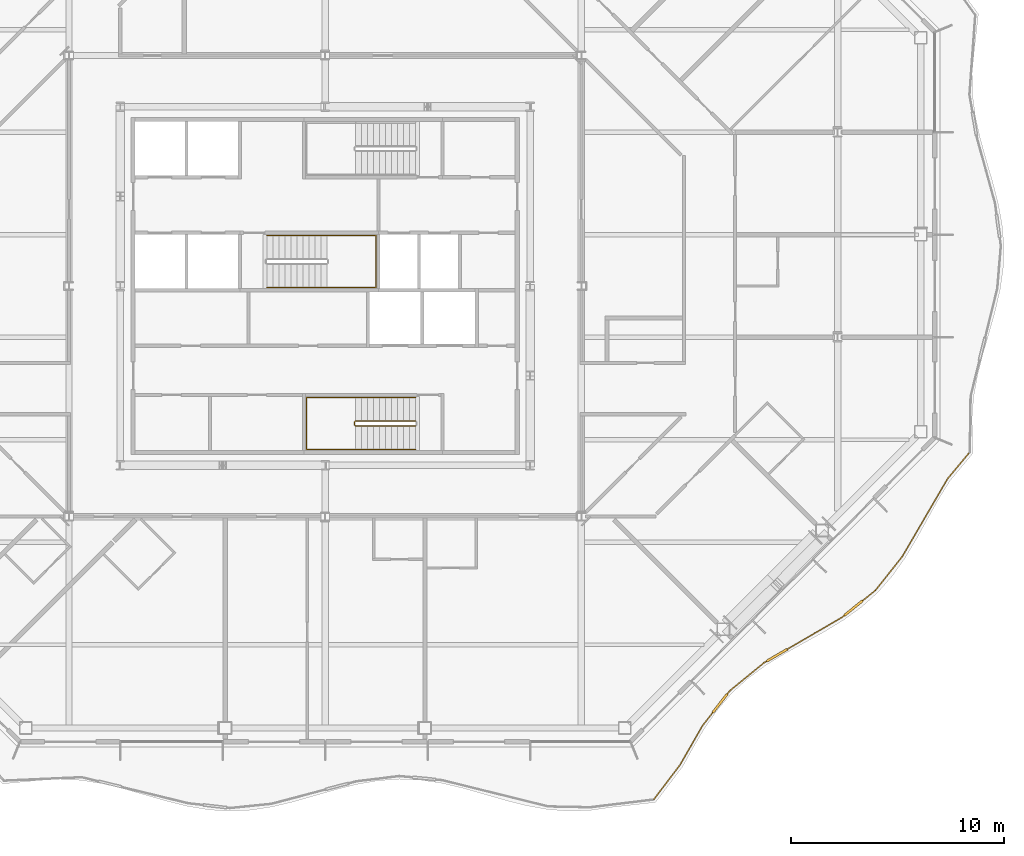
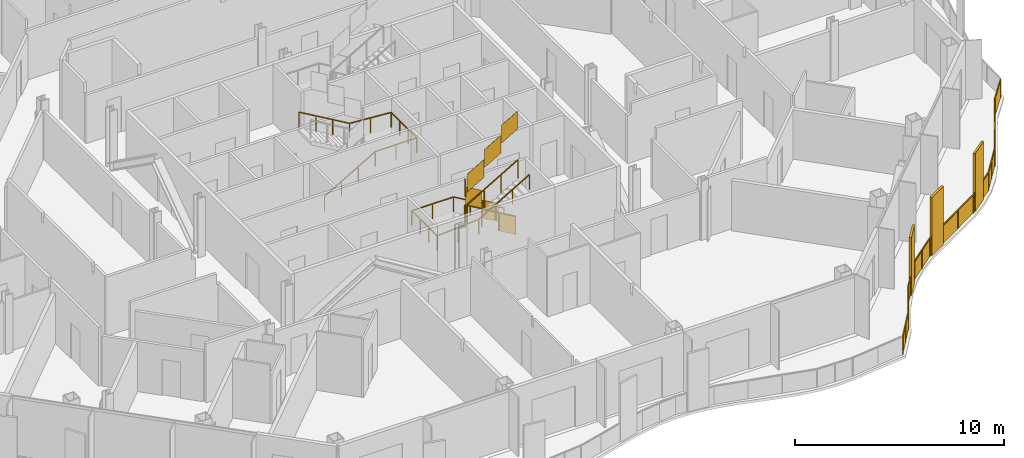
# One storey, part 17 of 21: 4 railings.
"""IFC4 building model written with IfcOpenShell, lengths in metres."""

from ifc_helpers import new_model, si_unit, direction, frame, origin, origin_2d, place, context, subcontext, project, spatial, polyline, rectangle, outline, extrude, material, type_object, element, save


model = new_model("IFC4")

# Units and contexts
model_context = context("Model", 3, precision=1e-05, world=origin(), true_north=direction((0.0, 1.0)))
body_context = subcontext(model_context, "Body", "Model", "MODEL_VIEW")
ifc_project = project(units=[si_unit("LENGTHUNIT", "METRE"), si_unit("AREAUNIT", "SQUARE_METRE"), si_unit("VOLUMEUNIT", "CUBIC_METRE"), si_unit("PLANEANGLEUNIT", "RADIAN"), si_unit("MASSUNIT", "GRAM", prefix="KILO")], contexts=[model_context])

# Site, building, storey
site_placement = place(None, origin())
site = spatial("IfcSite", under=ifc_project, at=site_placement, CompositionType="ELEMENT")
building_placement = place(site_placement, origin())
building = spatial("IfcBuilding", under=site, at=building_placement, Name="Cairn Pilgrim Tower", CompositionType="ELEMENT")
storey_placement = place(building_placement, frame((0.0, 0.0, 150.60009765625)))
storey = spatial("IfcBuildingStorey", under=building, at=storey_placement, Name="L37", CompositionType="ELEMENT", Elevation=150.60009765625)

# Railings
ifc_material_1 = material(Name="Bronze anodised aluminium rail, posts and fin screens with laminated glass infill", Category="aluminium")
railing_type_1 = type_object("IfcRailingType", Name="BALCONY GUARD WITH FIN SCREENS", PredefinedType="GUARDRAIL", material=ifc_material_1)
railing_1_placement = place(storey_placement, frame((22.591796875, -21.649169921875, 0.0)))
element("IfcRailing", 1, at=railing_1_placement, inside=storey, type_object=railing_type_1, Name="Balcony guard BGF-2 with fin screens", PredefinedType="GUARDRAIL", context=body_context, shape_type="SweptSolid", body=[
    extrude(rectangle(XDim=0.050048828125, YDim=0.050048828125, at=origin_2d()), frame((0.0, 0.0, 1.0751953125), z_axis=(0.60445728177, 0.7966375553, 0.0), x_axis=(-0.7966375553, 0.60445728177, 0.0)), (0.0, 0.0, 1.0), 2.03759765625),
    extrude(rectangle(XDim=0.050048828125, YDim=0.050048828125, at=origin_2d()), frame((1.231689453125, 1.623291015625, 1.0751953125), z_axis=(0.497234415792, 0.867616237603, 0.0), x_axis=(-0.867616237603, 0.497234415792, 0.0)), (0.0, 0.0, 1.0), 2.111328125),
    extrude(rectangle(XDim=1.10009765625, YDim=0.110107421875, at=origin_2d()), frame((3.098388671875, 4.500732421875, 0.0), z_axis=(0.0, 0.0, 1.0), x_axis=(0.615646320636, 0.788022593513, 0.0)), (0.0, 0.0, 1.0), 3.39990234375),
    extrude(rectangle(XDim=0.050048828125, YDim=0.050048828125, at=origin_2d()), frame((2.281494140625, 3.455078125, 1.0751953125), z_axis=(0.615646320636, 0.788022593513, 0.0), x_axis=(-0.788022593513, 0.615646320636, 0.0)), (0.0, 0.0, 1.0), 0.77685546875),
    extrude(rectangle(XDim=0.050048828125, YDim=0.050048828125, at=origin_2d()), frame((3.43701171875, 4.93408203125, 1.0751953125), z_axis=(0.615646320636, 0.788022593513, 0.0), x_axis=(-0.788022593513, 0.615646320636, 0.0)), (0.0, 0.0, 1.0), 0.202392578125),
    extrude(rectangle(XDim=0.050048828125, YDim=0.050048828125, at=origin_2d()), frame((3.5615234375, 5.093505859375, 1.0751953125), z_axis=(0.774109284581, 0.633051984853, 0.0), x_axis=(-0.633051984853, 0.774109284581, 0.0)), (0.0, 0.0, 1.0), 2.0751953125),
    extrude(rectangle(XDim=1.10009765625, YDim=0.110107421875, at=origin_2d()), frame((5.77294921875, 6.759521484375, 0.0), z_axis=(0.0, 0.0, 1.0), x_axis=(0.864203129595, 0.503143071897, 0.0)), (0.0, 0.0, 1.0), 3.39990234375),
    extrude(rectangle(XDim=0.050048828125, YDim=0.050048828125, at=origin_2d()), frame((5.16796875, 6.4072265625, 1.0751953125), z_axis=(0.864203129595, 0.503143071897, 0.0), x_axis=(-0.503143071897, 0.864203129595, 0.0)), (0.0, 0.0, 1.0), 0.150146484375),
    extrude(rectangle(XDim=0.050048828125, YDim=0.050048828125, at=origin_2d()), frame((6.248291015625, 7.0361328125, 1.0751953125), z_axis=(0.864203129595, 0.503143071897, 0.0), x_axis=(-0.503143071897, 0.864203129595, 0.0)), (0.0, 0.0, 1.0), 2.963134765625),
    extrude(rectangle(XDim=1.10009765625, YDim=0.110107421875, at=origin_2d()), frame((9.354248046875, 8.966064453125, 0.0), z_axis=(0.0, 0.0, 1.0), x_axis=(0.77881294934, 0.627256239459, 0.0)), (0.0, 0.0, 1.0), 3.39990234375),
    extrude(rectangle(XDim=0.050048828125, YDim=0.050048828125, at=origin_2d()), frame((8.80908203125, 8.527099609375, 1.0751953125), z_axis=(0.77881294934, 0.627256239459, 0.0), x_axis=(-0.627256239459, 0.77881294934, 0.0)), (0.0, 0.0, 1.0), 0.14990234375),
    extrude(rectangle(XDim=0.050048828125, YDim=0.050048828125, at=origin_2d()), frame((9.782470703125, 9.311279296875, 1.0751953125), z_axis=(0.77881294934, 0.627256239459, 0.0), x_axis=(-0.627256239459, 0.77881294934, 0.0)), (0.0, 0.0, 1.0), 0.77001953125),
    extrude(rectangle(XDim=0.050048828125, YDim=0.050048828125, at=origin_2d()), frame((10.38232421875, 9.794189453125, 1.0751953125), z_axis=(0.621318049851, 0.783558473204, 0.0), x_axis=(-0.783558473204, 0.621318049851, 0.0)), (0.0, 0.0, 1.0), 2.0224609375),
    extrude(rectangle(XDim=0.050048828125, YDim=0.050048828125, at=origin_2d()), frame((11.638916015625, 11.37890625, 1.0751953125), z_axis=(0.50330901322, 0.864106496453, 0.0), x_axis=(-0.864106496453, 0.50330901322, 0.0)), (0.0, 0.0, 1.0), 4.21435546875),
    extrude(rectangle(XDim=0.050048828125, YDim=0.050048828125, at=origin_2d()), frame((13.760009765625, 15.0205078125, 1.0751953125), z_axis=(0.640384195462, 0.768054739067, 0.0), x_axis=(-0.768054739067, 0.640384195462, 0.0)), (0.0, 0.0, 1.0), 1.562255859375),
    extrude(rectangle(XDim=0.050048828125, YDim=0.050048828125, at=origin_2d()), origin(), (0.0, 0.0, 1.0), 1.050048828125),
    extrude(rectangle(XDim=0.050048828125, YDim=0.050048828125, at=origin_2d()), frame((0.61572265625, 0.8115234375, 0.0)), (0.0, 0.0, 1.0), 1.050048828125),
    extrude(rectangle(XDim=0.050048828125, YDim=0.050048828125, at=origin_2d()), frame((1.231689453125, 1.623291015625, 0.0)), (0.0, 0.0, 1.0), 1.050048828125),
    extrude(rectangle(XDim=0.050048828125, YDim=0.050048828125, at=origin_2d()), frame((1.756591796875, 2.5390625, 0.0)), (0.0, 0.0, 1.0), 1.050048828125),
    extrude(rectangle(XDim=0.050048828125, YDim=0.050048828125, at=origin_2d()), frame((2.281494140625, 3.455078125, 0.0)), (0.0, 0.0, 1.0), 1.050048828125),
    extrude(rectangle(XDim=0.050048828125, YDim=0.050048828125, at=origin_2d()), frame((2.744384765625, 4.047607421875, 0.0)), (0.0, 0.0, 1.0), 1.050048828125),
    extrude(rectangle(XDim=0.050048828125, YDim=0.050048828125, at=origin_2d()), frame((3.452392578125, 4.953857421875, 0.0)), (0.0, 0.0, 1.0), 1.050048828125),
    extrude(rectangle(XDim=0.050048828125, YDim=0.050048828125, at=origin_2d()), frame((3.5615234375, 5.093505859375, 0.0)), (0.0, 0.0, 1.0), 1.050048828125),
    extrude(rectangle(XDim=0.050048828125, YDim=0.050048828125, at=origin_2d()), frame((4.36474609375, 5.75048828125, 0.0)), (0.0, 0.0, 1.0), 1.050048828125),
    extrude(rectangle(XDim=0.050048828125, YDim=0.050048828125, at=origin_2d()), frame((5.16796875, 6.4072265625, 0.0)), (0.0, 0.0, 1.0), 1.050048828125),
    extrude(rectangle(XDim=0.050048828125, YDim=0.050048828125, at=origin_2d()), frame((5.276123046875, 6.47021484375, 0.0)), (0.0, 0.0, 1.0), 1.050048828125),
    extrude(rectangle(XDim=0.050048828125, YDim=0.050048828125, at=origin_2d()), frame((6.269775390625, 7.048828125, 0.0)), (0.0, 0.0, 1.0), 1.050048828125),
    extrude(rectangle(XDim=0.050048828125, YDim=0.050048828125, at=origin_2d()), frame((7.53955078125, 7.787841796875, 0.0)), (0.0, 0.0, 1.0), 1.050048828125),
    extrude(rectangle(XDim=0.050048828125, YDim=0.050048828125, at=origin_2d()), frame((8.80908203125, 8.527099609375, 0.0)), (0.0, 0.0, 1.0), 1.050048828125),
    extrude(rectangle(XDim=0.050048828125, YDim=0.050048828125, at=origin_2d()), frame((8.906494140625, 8.60546875, 0.0)), (0.0, 0.0, 1.0), 1.050048828125),
    extrude(rectangle(XDim=0.050048828125, YDim=0.050048828125, at=origin_2d()), frame((9.802001953125, 9.326904296875, 0.0)), (0.0, 0.0, 1.0), 1.050048828125),
    extrude(rectangle(XDim=0.050048828125, YDim=0.050048828125, at=origin_2d()), frame((10.38232421875, 9.794189453125, 0.0)), (0.0, 0.0, 1.0), 1.050048828125),
    extrude(rectangle(XDim=0.050048828125, YDim=0.050048828125, at=origin_2d()), frame((11.0107421875, 10.58642578125, 0.0)), (0.0, 0.0, 1.0), 1.050048828125),
    extrude(rectangle(XDim=0.050048828125, YDim=0.050048828125, at=origin_2d()), frame((11.638916015625, 11.37890625, 0.0)), (0.0, 0.0, 1.0), 1.050048828125),
    extrude(rectangle(XDim=0.050048828125, YDim=0.050048828125, at=origin_2d()), frame((12.345947265625, 12.5927734375, 0.0)), (0.0, 0.0, 1.0), 1.050048828125),
    extrude(rectangle(XDim=0.050048828125, YDim=0.050048828125, at=origin_2d()), frame((13.052978515625, 13.806640625, 0.0)), (0.0, 0.0, 1.0), 1.050048828125),
    extrude(rectangle(XDim=0.050048828125, YDim=0.050048828125, at=origin_2d()), frame((13.760009765625, 15.0205078125, 0.0)), (0.0, 0.0, 1.0), 1.050048828125),
    extrude(rectangle(XDim=0.050048828125, YDim=0.050048828125, at=origin_2d()), frame((14.760498046875, 16.220458984375, 0.0)), (0.0, 0.0, 1.0), 1.050048828125),
    extrude(outline(polyline([(0.02490234375, 0.0), (0.993896484375, 0.0), (0.993896484375, 1.050048828125), (0.02490234375, 1.050048828125), (0.02490234375, 0.0)])), frame((-0.0048828125, 0.003662109375, 0.0), z_axis=(0.7966375553, -0.60445728177, 0.0), x_axis=(0.60445728177, 0.7966375553, 0.0)), (0.0, 0.0, 1.0), 0.011962890625),
    extrude(outline(polyline([(0.02490234375, 0.0), (0.993896484375, 0.0), (0.993896484375, 1.050048828125), (0.02490234375, 1.050048828125), (0.02490234375, 0.0)])), frame((0.611083984375, 0.815185546875, 0.0), z_axis=(0.7966375553, -0.60445728177, 0.0), x_axis=(0.60445728177, 0.7966375553, 0.0)), (0.0, 0.0, 1.0), 0.011962890625),
    extrude(outline(polyline([(0.02490234375, 0.0), (1.030517578125, 0.0), (1.030517578125, 1.050048828125), (0.02490234375, 1.050048828125), (0.02490234375, 0.0)])), frame((1.2265625, 1.626220703125, 0.0), z_axis=(0.867616237603, -0.497234415792, 0.0), x_axis=(0.497234415792, 0.867616237603, 0.0)), (0.0, 0.0, 1.0), 0.011962890625),
    extrude(outline(polyline([(0.02490234375, 0.0), (1.030517578125, 0.0), (1.030517578125, 1.050048828125), (0.02490234375, 1.050048828125), (0.02490234375, 0.0)])), frame((1.75146484375, 2.542236328125, 0.0), z_axis=(0.867616237603, -0.497234415792, 0.0), x_axis=(0.497234415792, 0.867616237603, 0.0)), (0.0, 0.0, 1.0), 0.011962890625),
    extrude(outline(polyline([(0.02490234375, 0.0), (0.726806640625, 0.0), (0.726806640625, 1.050048828125), (0.02490234375, 1.050048828125), (0.02490234375, 0.0)])), frame((2.27685546875, 3.458740234375, 0.0), z_axis=(0.788022593513, -0.615646320636, 0.0), x_axis=(0.615646320636, 0.788022593513, 0.0)), (0.0, 0.0, 1.0), 0.011962890625),
    extrude(outline(polyline([(0.02490234375, 0.0), (0.15234375, 0.0), (0.15234375, 1.050048828125), (0.02490234375, 1.050048828125), (0.02490234375, 0.0)])), frame((3.44775390625, 4.95751953125, 0.0), z_axis=(0.788022593513, -0.615646320636, 0.0), x_axis=(0.615646320636, 0.788022593513, 0.0)), (0.0, 0.0, 1.0), 0.011962890625),
    extrude(outline(polyline([(0.02490234375, 0.0), (1.0126953125, 0.0), (1.0126953125, 1.050048828125), (0.02490234375, 1.050048828125), (0.02490234375, 0.0)])), frame((3.5576171875, 5.09814453125, 0.0), z_axis=(0.633051984853, -0.774109284581, 0.0), x_axis=(0.774109284581, 0.633051984853, 0.0)), (0.0, 0.0, 1.0), 0.011962890625),
    extrude(outline(polyline([(0.02490234375, 0.0), (1.0126953125, 0.0), (1.0126953125, 1.050048828125), (0.02490234375, 1.050048828125), (0.02490234375, 0.0)])), frame((4.36083984375, 5.7548828125, 0.0), z_axis=(0.633051984853, -0.774109284581, 0.0), x_axis=(0.774109284581, 0.633051984853, 0.0)), (0.0, 0.0, 1.0), 0.011962890625),
    extrude(outline(polyline([(0.02490234375, 0.0), (0.10009765625, 0.0), (0.10009765625, 1.050048828125), (0.02490234375, 1.050048828125), (0.02490234375, 0.0)])), frame((5.1650390625, 6.412353515625, 0.0), z_axis=(0.503143071897, -0.864203129595, 0.0), x_axis=(0.864203129595, 0.503143071897, 0.0)), (0.0, 0.0, 1.0), 0.011962890625),
    extrude(outline(polyline([(0.02490234375, 0.0), (1.444091796875, 0.0), (1.444091796875, 1.050048828125), (0.02490234375, 1.050048828125), (0.02490234375, 0.0)])), frame((6.266845703125, 7.053955078125, 0.0), z_axis=(0.503143071897, -0.864203129595, 0.0), x_axis=(0.864203129595, 0.503143071897, 0.0)), (0.0, 0.0, 1.0), 0.011962890625),
    extrude(outline(polyline([(0.02490234375, 0.0), (1.444091796875, 0.0), (1.444091796875, 1.050048828125), (0.02490234375, 1.050048828125), (0.02490234375, 0.0)])), frame((7.536376953125, 7.793212890625, 0.0), z_axis=(0.503143071897, -0.864203129595, 0.0), x_axis=(0.864203129595, 0.503143071897, 0.0)), (0.0, 0.0, 1.0), 0.011962890625),
    extrude(outline(polyline([(0.02490234375, 0.0), (0.099853515625, 0.0), (0.099853515625, 1.050048828125), (0.02490234375, 1.050048828125), (0.02490234375, 0.0)])), frame((8.805419921875, 8.53173828125, 0.0), z_axis=(0.627256239459, -0.77881294934, 0.0), x_axis=(0.77881294934, 0.627256239459, 0.0)), (0.0, 0.0, 1.0), 0.011962890625),
    extrude(outline(polyline([(0.02490234375, 0.0), (0.719970703125, 0.0), (0.719970703125, 1.050048828125), (0.02490234375, 1.050048828125), (0.02490234375, 0.0)])), frame((9.79833984375, 9.33154296875, 0.0), z_axis=(0.627256239459, -0.77881294934, 0.0), x_axis=(0.77881294934, 0.627256239459, 0.0)), (0.0, 0.0, 1.0), 0.011962890625),
    extrude(outline(polyline([(0.02490234375, 0.0), (0.986328125, 0.0), (0.986328125, 1.050048828125), (0.02490234375, 1.050048828125), (0.02490234375, 0.0)])), frame((10.377685546875, 9.7978515625, 0.0), z_axis=(0.783558473204, -0.621318049851, 0.0), x_axis=(0.621318049851, 0.783558473204, 0.0)), (0.0, 0.0, 1.0), 0.011962890625),
    extrude(outline(polyline([(0.02490234375, 0.0), (0.986328125, 0.0), (0.986328125, 1.050048828125), (0.02490234375, 1.050048828125), (0.02490234375, 0.0)])), frame((11.005859375, 10.59033203125, 0.0), z_axis=(0.783558473204, -0.621318049851, 0.0), x_axis=(0.621318049851, 0.783558473204, 0.0)), (0.0, 0.0, 1.0), 0.011962890625),
    extrude(outline(polyline([(0.02490234375, 0.0), (1.379638671875, 0.0), (1.379638671875, 1.050048828125), (0.02490234375, 1.050048828125), (0.02490234375, 0.0)])), frame((11.6337890625, 11.3818359375, 0.0), z_axis=(0.864106496453, -0.50330901322, 0.0), x_axis=(0.50330901322, 0.864106496453, 0.0)), (0.0, 0.0, 1.0), 0.011962890625),
    extrude(outline(polyline([(0.02490234375, 0.0), (1.379638671875, 0.0), (1.379638671875, 1.050048828125), (0.02490234375, 1.050048828125), (0.02490234375, 0.0)])), frame((12.3408203125, 12.595703125, 0.0), z_axis=(0.864106496453, -0.50330901322, 0.0), x_axis=(0.50330901322, 0.864106496453, 0.0)), (0.0, 0.0, 1.0), 0.011962890625),
    extrude(outline(polyline([(0.02490234375, 0.0), (1.379638671875, 0.0), (1.379638671875, 1.050048828125), (0.02490234375, 1.050048828125), (0.02490234375, 0.0)])), frame((13.0478515625, 13.8095703125, 0.0), z_axis=(0.864106496453, -0.50330901322, 0.0), x_axis=(0.50330901322, 0.864106496453, 0.0)), (0.0, 0.0, 1.0), 0.011962890625),
    extrude(outline(polyline([(0.02490234375, 0.0), (1.537353515625, 0.0), (1.537353515625, 1.050048828125), (0.02490234375, 1.050048828125), (0.02490234375, 0.0)])), frame((13.75537109375, 15.0244140625, 0.0), z_axis=(0.768054739067, -0.640384195462, 0.0), x_axis=(0.640384195462, 0.768054739067, 0.0)), (0.0, 0.0, 1.0), 0.011962890625),
])
ifc_material_2 = material(Name="Painted steel", Category="steel")
railing_type_2 = type_object("IfcRailingType", Name="STAIR GUARD 1100", PredefinedType="GUARDRAIL", material=ifc_material_2)
railing_2_placement = place(storey_placement, frame((11.425048828125, -3.925048828125, 0.16357421875)))
element("IfcRailing", 2, at=railing_2_placement, inside=storey, type_object=railing_type_2, Name="L37 ST-A stair guard 1", PredefinedType="GUARDRAIL", context=body_context, shape_type="SweptSolid", body=[
    extrude(rectangle(XDim=0.048095703125, YDim=0.048095703125, at=origin_2d()), frame((0.0, 0.0, 1.076171875), z_axis=(-0.863393664356, 0.0, 0.504530851732), x_axis=(0.0, -1.0, 0.0)), (0.0, 0.0, 1.0), 3.2431640625),
    extrude(rectangle(XDim=0.048095703125, YDim=0.048095703125, at=origin_2d()), frame((-2.800048828125, 0.0, 2.71240234375), z_axis=(-0.707106781187, -0.707106781187, 0.0), x_axis=(0.707106781187, -0.707106781187, 0.0)), (0.0, 0.0, 1.0), 0.07080078125),
    extrude(rectangle(XDim=0.048095703125, YDim=0.048095703125, at=origin_2d()), frame((-2.85009765625, -0.050048828125, 2.71240234375), z_axis=(0.0, -1.0, 0.0), x_axis=(1.0, 0.0, 0.0)), (0.0, 0.0, 1.0), 0.125),
    extrude(rectangle(XDim=0.048095703125, YDim=0.048095703125, at=origin_2d()), frame((-2.85009765625, -0.175048828125, 2.71240234375), z_axis=(0.280563532951, -0.279194930351, 0.91833234444), x_axis=(0.705375805398, 0.708833529934, 0.0)), (0.0, 0.0, 1.0), 0.178466796875),
    extrude(rectangle(XDim=0.048095703125, YDim=0.048095703125, at=origin_2d()), frame((-2.800048828125, -0.224853515625, 2.8759765625), z_axis=(0.863393664356, 0.0, 0.504530851732), x_axis=(0.0, 1.0, 0.0)), (0.0, 0.0, 1.0), 3.2431640625),
    extrude(rectangle(XDim=0.0419921875, YDim=0.0419921875, at=origin_2d()), origin(), (0.0, 0.0, 1.0), 1.052001953125),
    extrude(rectangle(XDim=0.0419921875, YDim=0.0419921875, at=origin_2d()), frame((-0.933349609375, 0.0, 0.54541015625)), (0.0, 0.0, 1.0), 1.052001953125),
    extrude(rectangle(XDim=0.0419921875, YDim=0.0419921875, at=origin_2d()), frame((-1.86669921875, 0.0, 1.0908203125)), (0.0, 0.0, 1.0), 1.052001953125),
    extrude(rectangle(XDim=0.0419921875, YDim=0.0419921875, at=origin_2d()), frame((-2.800048828125, 0.0, 1.63623046875)), (0.0, 0.0, 1.0), 1.052001953125),
    extrude(rectangle(XDim=0.0419921875, YDim=0.0419921875, at=origin_2d()), frame((-2.85009765625, -0.050048828125, 1.63623046875)), (0.0, 0.0, 1.0), 1.052001953125),
    extrude(rectangle(XDim=0.0419921875, YDim=0.0419921875, at=origin_2d()), frame((-2.85009765625, -0.175048828125, 1.63623046875)), (0.0, 0.0, 1.0), 1.052001953125),
    extrude(rectangle(XDim=0.0419921875, YDim=0.0419921875, at=origin_2d()), frame((-2.800048828125, -0.224853515625, 1.800048828125)), (0.0, 0.0, 1.0), 1.052001953125),
    extrude(rectangle(XDim=0.0419921875, YDim=0.0419921875, at=origin_2d()), frame((-1.86669921875, -0.224853515625, 2.345458984375)), (0.0, 0.0, 1.0), 1.052001953125),
    extrude(rectangle(XDim=0.0419921875, YDim=0.0419921875, at=origin_2d()), frame((-0.933349609375, -0.224853515625, 2.890869140625)), (0.0, 0.0, 1.0), 1.052001953125),
    extrude(rectangle(XDim=0.0419921875, YDim=0.0419921875, at=origin_2d()), frame((0.0, -0.224853515625, 3.436279296875)), (0.0, 0.0, 1.0), 1.052001953125),
    extrude(outline(polyline([(0.02099609375, 0.01220703125), (0.912353515625, 0.533203125), (0.912353515625, 1.585205078125), (0.02099609375, 1.064208984375), (0.02099609375, 0.01220703125)])), frame((0.0, -0.005859375, 0.0), z_axis=(0.0, 1.0, 0.0), x_axis=(-1.0, 0.0, 0.0)), (0.0, 0.0, 1.0), 0.011962890625),
    extrude(outline(polyline([(0.02099609375, 0.5576171875), (0.912353515625, 1.07861328125), (0.912353515625, 2.130615234375), (0.02099609375, 1.609619140625), (0.02099609375, 0.5576171875)])), frame((-0.933349609375, -0.005859375, 0.54541015625), z_axis=(0.0, 1.0, 0.0), x_axis=(-1.0, 0.0, 0.0)), (0.0, 0.0, 1.0), 0.011962890625),
    extrude(outline(polyline([(0.02099609375, 1.10302734375), (0.912353515625, 1.6240234375), (0.912353515625, 2.676025390625), (0.02099609375, 2.155029296875), (0.02099609375, 1.10302734375)])), frame((-1.86669921875, -0.005859375, 1.0908203125), z_axis=(0.0, 1.0, 0.0), x_axis=(-1.0, 0.0, 0.0)), (0.0, 0.0, 1.0), 0.011962890625),
    extrude(outline(polyline([(0.02099609375, 1.63623046875), (0.10400390625, 1.63623046875), (0.10400390625, 2.688232421875), (0.02099609375, 2.688232421875), (0.02099609375, 1.63623046875)])), frame((-2.84423828125, -0.050048828125, 1.63623046875), z_axis=(-1.0, 0.0, 0.0), x_axis=(0.0, -1.0, 0.0)), (0.0, 0.0, 1.0), 0.011962890625),
    extrude(outline(polyline([(0.02099609375, 1.812255859375), (0.912353515625, 2.333251953125), (0.912353515625, 3.38525390625), (0.02099609375, 2.8642578125), (0.02099609375, 1.812255859375)])), frame((-2.800048828125, -0.21875, 1.800048828125), z_axis=(0.0, -1.0, 0.0), x_axis=(1.0, 0.0, 0.0)), (0.0, 0.0, 1.0), 0.011962890625),
    extrude(outline(polyline([(0.02099609375, 2.357666015625), (0.912353515625, 2.878662109375), (0.912353515625, 3.9306640625), (0.02099609375, 3.40966796875), (0.02099609375, 2.357666015625)])), frame((-1.86669921875, -0.21875, 2.345458984375), z_axis=(0.0, -1.0, 0.0), x_axis=(1.0, 0.0, 0.0)), (0.0, 0.0, 1.0), 0.011962890625),
    extrude(outline(polyline([(0.02099609375, 2.903076171875), (0.912353515625, 3.424072265625), (0.912353515625, 4.47607421875), (0.02099609375, 3.955078125), (0.02099609375, 2.903076171875)])), frame((-0.933349609375, -0.21875, 2.890869140625), z_axis=(0.0, -1.0, 0.0), x_axis=(1.0, 0.0, 0.0)), (0.0, 0.0, 1.0), 0.011962890625),
])
railing_type_3 = type_object("IfcRailingType", Name="STAIR HANDRAIL 900", PredefinedType="HANDRAIL", material=ifc_material_2)
railing_3_placement = place(storey_placement, frame((11.425048828125, -2.824951171875, 0.16357421875)))
element("IfcRailing", 3, at=railing_3_placement, inside=storey, type_object=railing_type_3, Name="L37 ST-A stair handrail 1", PredefinedType="HANDRAIL", context=body_context, shape_type="SweptSolid", body=[
    extrude(rectangle(XDim=0.048095703125, YDim=0.048095703125, at=origin_2d()), frame((0.0, 0.0, 0.8759765625), z_axis=(-0.863393664356, 0.0, 0.504530851732), x_axis=(0.0, -1.0, 0.0)), (0.0, 0.0, 1.0), 3.2431640625),
    extrude(rectangle(XDim=0.048095703125, YDim=0.048095703125, at=origin_2d()), frame((-2.800048828125, 0.0, 2.51220703125), z_axis=(-1.0, 0.0, 0.0), x_axis=(0.0, -1.0, 0.0)), (0.0, 0.0, 1.0), 2.300048828125),
    extrude(rectangle(XDim=0.048095703125, YDim=0.048095703125, at=origin_2d()), frame((-5.10009765625, 0.0, 2.51220703125), z_axis=(0.0, -1.0, 0.0), x_axis=(1.0, 0.0, 0.0)), (0.0, 0.0, 1.0), 2.425048828125),
    extrude(rectangle(XDim=0.048095703125, YDim=0.048095703125, at=origin_2d()), frame((-5.10009765625, -2.425048828125, 2.51220703125), z_axis=(0.99747319029, 0.0, 0.071043892441), x_axis=(0.0, 1.0, 0.0)), (0.0, 0.0, 1.0), 2.305908203125),
    extrude(rectangle(XDim=0.048095703125, YDim=0.048095703125, at=origin_2d()), frame((-2.800048828125, -2.425048828125, 2.67578125), z_axis=(0.863393664356, 0.0, 0.504530851732), x_axis=(0.0, 1.0, 0.0)), (0.0, 0.0, 1.0), 3.2431640625),
    extrude(rectangle(XDim=0.0419921875, YDim=0.0419921875, at=origin_2d()), origin(), (0.0, 0.0, 1.0), 0.851806640625),
    extrude(rectangle(XDim=0.0419921875, YDim=0.0419921875, at=origin_2d()), frame((-0.933349609375, 0.0, 0.54541015625)), (0.0, 0.0, 1.0), 0.851806640625),
    extrude(rectangle(XDim=0.0419921875, YDim=0.0419921875, at=origin_2d()), frame((-1.86669921875, 0.0, 1.0908203125)), (0.0, 0.0, 1.0), 0.851806640625),
    extrude(rectangle(XDim=0.0419921875, YDim=0.0419921875, at=origin_2d()), frame((-2.800048828125, 0.0, 1.63623046875)), (0.0, 0.0, 1.0), 0.851806640625),
    extrude(rectangle(XDim=0.0419921875, YDim=0.0419921875, at=origin_2d()), frame((-3.9501953125, 0.0, 1.63623046875)), (0.0, 0.0, 1.0), 0.851806640625),
    extrude(rectangle(XDim=0.0419921875, YDim=0.0419921875, at=origin_2d()), frame((-5.10009765625, 0.0, 1.63623046875)), (0.0, 0.0, 1.0), 0.851806640625),
    extrude(rectangle(XDim=0.0419921875, YDim=0.0419921875, at=origin_2d()), frame((-5.10009765625, -0.808349609375, 1.63623046875)), (0.0, 0.0, 1.0), 0.851806640625),
    extrude(rectangle(XDim=0.0419921875, YDim=0.0419921875, at=origin_2d()), frame((-5.10009765625, -1.61669921875, 1.63623046875)), (0.0, 0.0, 1.0), 0.851806640625),
    extrude(rectangle(XDim=0.0419921875, YDim=0.0419921875, at=origin_2d()), frame((-5.10009765625, -2.425048828125, 1.63623046875)), (0.0, 0.0, 1.0), 0.851806640625),
    extrude(rectangle(XDim=0.0419921875, YDim=0.0419921875, at=origin_2d()), frame((-3.9501953125, -2.425048828125, 1.71826171875)), (0.0, 0.0, 1.0), 0.851806640625),
    extrude(rectangle(XDim=0.0419921875, YDim=0.0419921875, at=origin_2d()), frame((-2.800048828125, -2.425048828125, 1.800048828125)), (0.0, 0.0, 1.0), 0.851806640625),
    extrude(rectangle(XDim=0.0419921875, YDim=0.0419921875, at=origin_2d()), frame((-1.86669921875, -2.425048828125, 2.345458984375)), (0.0, 0.0, 1.0), 0.851806640625),
    extrude(rectangle(XDim=0.0419921875, YDim=0.0419921875, at=origin_2d()), frame((-0.933349609375, -2.425048828125, 2.890869140625)), (0.0, 0.0, 1.0), 0.851806640625),
    extrude(rectangle(XDim=0.0419921875, YDim=0.0419921875, at=origin_2d()), frame((0.0, -2.425048828125, 3.436279296875)), (0.0, 0.0, 1.0), 0.851806640625),
])
railing_4_placement = place(storey_placement, frame((4.47509765625, 2.324951171875, 0.16357421875)))
element("IfcRailing", 4, at=railing_4_placement, inside=storey, type_object=railing_type_3, Name="L37 ST-B stair handrail 1", PredefinedType="HANDRAIL", context=body_context, shape_type="SweptSolid", body=[
    extrude(rectangle(XDim=0.048095703125, YDim=0.048095703125, at=origin_2d()), frame((0.0, 0.0, 0.8759765625), z_axis=(0.863374499697, 0.0, 0.504563646405), x_axis=(0.0, 1.0, 0.0)), (0.0, 0.0, 1.0), 3.242919921875),
    extrude(rectangle(XDim=0.048095703125, YDim=0.048095703125, at=origin_2d()), frame((2.7998046875, 0.0, 2.51220703125), z_axis=(1.0, 0.0, 0.0), x_axis=(0.0, 1.0, 0.0)), (0.0, 0.0, 1.0), 2.300048828125),
    extrude(rectangle(XDim=0.048095703125, YDim=0.048095703125, at=origin_2d()), frame((5.099853515625, 0.0, 2.51220703125), z_axis=(0.0, 1.0, 0.0), x_axis=(-1.0, 0.0, 0.0)), (0.0, 0.0, 1.0), 2.449951171875),
    extrude(rectangle(XDim=0.048095703125, YDim=0.048095703125, at=origin_2d()), frame((5.099853515625, 2.449951171875, 2.51220703125), z_axis=(-0.99747319029, 0.0, 0.071043892441), x_axis=(0.0, -1.0, 0.0)), (0.0, 0.0, 1.0), 2.305908203125),
    extrude(rectangle(XDim=0.048095703125, YDim=0.048095703125, at=origin_2d()), frame((2.7998046875, 2.449951171875, 2.67578125), z_axis=(-0.863374499697, 0.0, 0.504563646405), x_axis=(0.0, -1.0, 0.0)), (0.0, 0.0, 1.0), 3.242919921875),
    extrude(rectangle(XDim=0.0419921875, YDim=0.0419921875, at=origin_2d()), origin(), (0.0, 0.0, 1.0), 0.851806640625),
    extrude(rectangle(XDim=0.0419921875, YDim=0.0419921875, at=origin_2d()), frame((0.933349609375, 0.0, 0.54541015625)), (0.0, 0.0, 1.0), 0.851806640625),
    extrude(rectangle(XDim=0.0419921875, YDim=0.0419921875, at=origin_2d()), frame((1.866455078125, 0.0, 1.0908203125)), (0.0, 0.0, 1.0), 0.851806640625),
    extrude(rectangle(XDim=0.0419921875, YDim=0.0419921875, at=origin_2d()), frame((2.7998046875, 0.0, 1.63623046875)), (0.0, 0.0, 1.0), 0.851806640625),
    extrude(rectangle(XDim=0.0419921875, YDim=0.0419921875, at=origin_2d()), frame((3.94970703125, 0.0, 1.63623046875)), (0.0, 0.0, 1.0), 0.851806640625),
    extrude(rectangle(XDim=0.0419921875, YDim=0.0419921875, at=origin_2d()), frame((5.099853515625, 0.0, 1.63623046875)), (0.0, 0.0, 1.0), 0.851806640625),
    extrude(rectangle(XDim=0.0419921875, YDim=0.0419921875, at=origin_2d()), frame((5.099853515625, 0.816650390625, 1.63623046875)), (0.0, 0.0, 1.0), 0.851806640625),
    extrude(rectangle(XDim=0.0419921875, YDim=0.0419921875, at=origin_2d()), frame((5.099853515625, 1.63330078125, 1.63623046875)), (0.0, 0.0, 1.0), 0.851806640625),
    extrude(rectangle(XDim=0.0419921875, YDim=0.0419921875, at=origin_2d()), frame((5.099853515625, 2.449951171875, 1.63623046875)), (0.0, 0.0, 1.0), 0.851806640625),
    extrude(rectangle(XDim=0.0419921875, YDim=0.0419921875, at=origin_2d()), frame((3.94970703125, 2.449951171875, 1.71826171875)), (0.0, 0.0, 1.0), 0.851806640625),
    extrude(rectangle(XDim=0.0419921875, YDim=0.0419921875, at=origin_2d()), frame((2.7998046875, 2.449951171875, 1.800048828125)), (0.0, 0.0, 1.0), 0.851806640625),
    extrude(rectangle(XDim=0.0419921875, YDim=0.0419921875, at=origin_2d()), frame((1.866455078125, 2.449951171875, 2.345458984375)), (0.0, 0.0, 1.0), 0.851806640625),
    extrude(rectangle(XDim=0.0419921875, YDim=0.0419921875, at=origin_2d()), frame((0.933349609375, 2.449951171875, 2.890869140625)), (0.0, 0.0, 1.0), 0.851806640625),
    extrude(rectangle(XDim=0.0419921875, YDim=0.0419921875, at=origin_2d()), frame((0.0, 2.449951171875, 3.436279296875)), (0.0, 0.0, 1.0), 0.851806640625),
])

save(model, "model.ifc")
